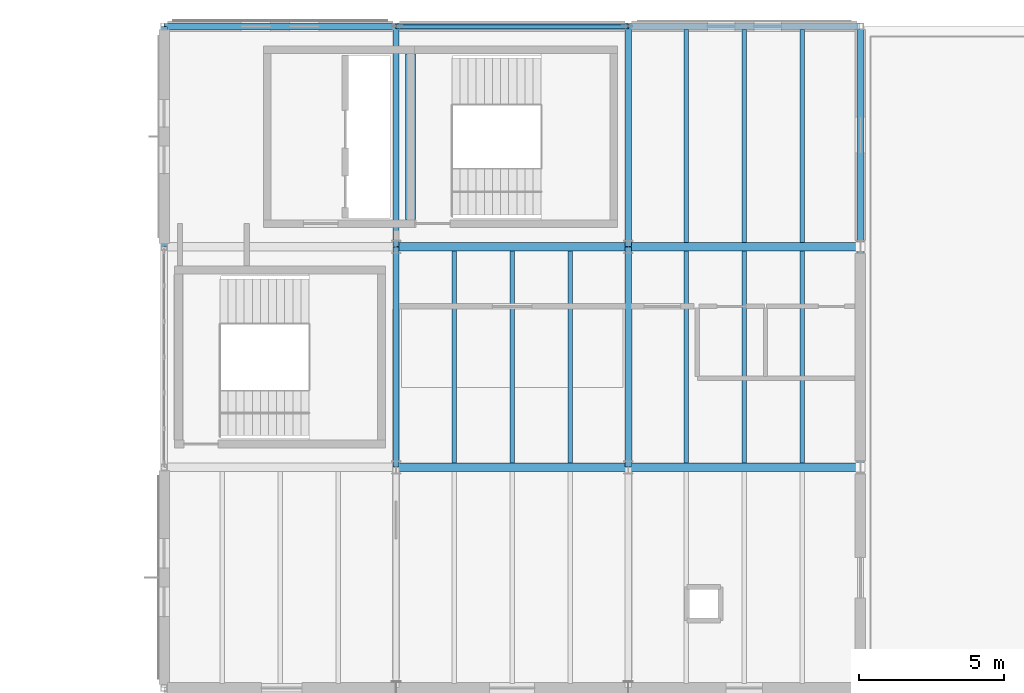
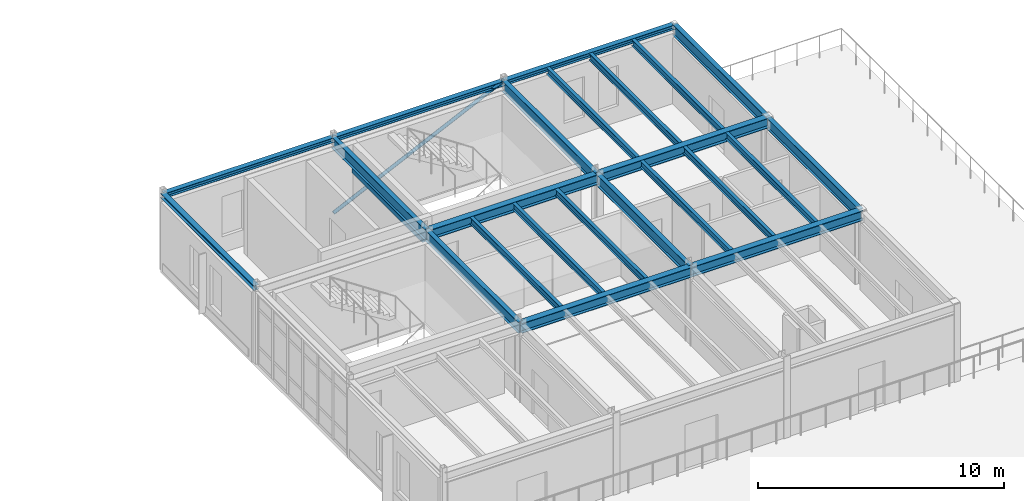
# One storey, part 66 of 114: 24 beams, 1 member.
"""IFC4 building model written with IfcOpenShell, lengths in metres."""

from ifc_helpers import new_model, si_unit, direction, frame, origin, origin_2d, place, context, subcontext, project, spatial, rectangle, hollow_circle, i_section, extrude, material, material_profile, profile_set, type_object, element, save


model = new_model("IFC4")

# Units and contexts
model_context = context("Model", 3, precision=1e-05, world=origin(), true_north=direction((0.0, 1.0)))
body_context = subcontext(model_context, "Body", "Model", "MODEL_VIEW")
ifc_project = project(units=[si_unit("LENGTHUNIT", "METRE"), si_unit("AREAUNIT", "SQUARE_METRE"), si_unit("VOLUMEUNIT", "CUBIC_METRE"), si_unit("PLANEANGLEUNIT", "RADIAN"), si_unit("MASSUNIT", "GRAM", prefix="KILO")], contexts=[model_context])

# Site, building, storey
site_placement = place(None, origin())
site = spatial("IfcSite", under=ifc_project, at=site_placement, CompositionType="ELEMENT")
building_placement = place(site_placement, origin())
building = spatial("IfcBuilding", under=site, at=building_placement, Name="Montecoro Central Library", CompositionType="ELEMENT")
storey_placement = place(building_placement, frame((0.0, 0.0, 13.260009765625)))
storey = spatial("IfcBuildingStorey", under=building, at=storey_placement, Name="L03", CompositionType="ELEMENT", Elevation=13.260009765625)

# Beams
ifc_material_1 = material(Name="Steel S355J2", Category="steel")
ifc_material_profile_1 = material_profile(ifc_material_1, i_section(OverallWidth=0.300048828125, OverallDepth=0.489990234375, WebThickness=0.011962890625, FlangeThickness=0.02294921875, at=origin_2d()), Name="HEA 500")
ifc_profile_set_1 = profile_set([ifc_material_profile_1], Name="Steel S355J2")
beam_type_1 = type_object("IfcBeamType", Name="BM-G-HEA500", PredefinedType="USERDEFINED", material=ifc_profile_set_1)
for number, where, z_axis, x_axis, name in (
    (1, (149.0048828125, 103.800048828125, 3.580078125), (1.0, 0.0, 0.0), (0.0, 1.0, 0.0), "V5-L03-BX-1920-P"),
    (2, (157.0048828125, 103.800048828125, 3.580078125), (1.0, 0.0, 0.0), (0.0, 1.0, 0.0), "V5-L03-BX-2021-P"),
    (3, (149.0048828125, 111.39990234375, 3.580078125), (1.0, 0.0, 0.0), (0.0, 1.0, 0.0), "V5-L03-BX-1920-Q"),
    (4, (157.0048828125, 111.39990234375, 3.580078125), (1.0, 0.0, 0.0), (0.0, 1.0, 0.0), "V5-L03-BX-2021-Q"),
):
    element("IfcBeam", number, at=place(storey_placement, frame(where, z_axis=z_axis, x_axis=x_axis)), inside=storey, type_object=beam_type_1, Name=name, ObjectType="GIRDER", PredefinedType="USERDEFINED", context=body_context, shape_type="SweptSolid", body=[
        extrude(i_section(OverallWidth=0.300048828125, OverallDepth=0.489990234375, WebThickness=0.011962890625, FlangeThickness=0.02294921875, at=origin_2d()), origin(), (0.0, 0.0, 1.0), 7.990234375),
    ])
ifc_material_profile_2 = material_profile(ifc_material_1, i_section(OverallWidth=0.2099609375, OverallDepth=0.550048828125, WebThickness=0.010986328125, FlangeThickness=0.01708984375, at=origin_2d()), Name="IPE 550")
ifc_profile_set_2 = profile_set([ifc_material_profile_2], Name="Steel S355J2")
beam_type_2 = type_object("IfcBeamType", Name="BM-G-IPE550", PredefinedType="USERDEFINED", material=ifc_profile_set_2)
for number, where, z_axis, x_axis, name in (
    (5, (149.0, 103.804931640625, 3.550048828125), (0.0, 1.0, 0.0), (-1.0, 0.0, 0.0), "V5-L03-BY-19-PQ"),
    (6, (149.0, 111.405029296875, 3.550048828125), (0.0, 1.0, 0.0), (-1.0, 0.0, 0.0), "V5-L03-BY-19-QR"),
    (7, (157.0, 103.804931640625, 3.550048828125), (0.0, 1.0, 0.0), (-1.0, 0.0, 0.0), "V5-L03-BY-20-PQ"),
    (8, (157.0, 111.405029296875, 3.550048828125), (0.0, 1.0, 0.0), (-1.0, 0.0, 0.0), "V5-L03-BY-20-QR"),
    (9, (165.0, 103.804931640625, 3.550048828125), (0.0, 1.0, 0.0), (-1.0, 0.0, 0.0), "V5-L03-BY-21-PQ"),
    (10, (165.0, 111.405029296875, 3.550048828125), (0.0, 1.0, 0.0), (-1.0, 0.0, 0.0), "V5-L03-BY-21-QR"),
):
    element("IfcBeam", number, at=place(storey_placement, frame(where, z_axis=z_axis, x_axis=x_axis)), inside=storey, type_object=beam_type_2, Name=name, ObjectType="GIRDER", PredefinedType="USERDEFINED", context=body_context, shape_type="SweptSolid", body=[
        extrude(i_section(OverallWidth=0.2099609375, OverallDepth=0.550048828125, WebThickness=0.010986328125, FlangeThickness=0.01708984375, at=origin_2d()), origin(), (0.0, 0.0, 1.0), 7.590087890625),
    ])
ifc_material_2 = material(Name="Steel S355", Category="steel")
ifc_material_profile_3 = material_profile(ifc_material_2, i_section(OverallWidth=0.159912109375, OverallDepth=0.330078125, WebThickness=0.007568359375, FlangeThickness=0.011474609375, at=origin_2d()), Name="IPE 330")
ifc_profile_set_3 = profile_set([ifc_material_profile_3], Name="Steel S355")
beam_type_3 = type_object("IfcBeamType", Name="BM-J-IPE330", PredefinedType="JOIST", material=ifc_profile_set_3)
for number, where, z_axis, x_axis, name in (
    (11, (151.0, 103.947021484375, 3.659912109375), (0.0, 1.0, 0.0), (-1.0, 0.0, 0.0), "V5-L03-JS-1920-PQ-1"),
    (12, (153.0, 103.947021484375, 3.659912109375), (0.0, 1.0, 0.0), (-1.0, 0.0, 0.0), "V5-L03-JS-1920-PQ-2"),
    (13, (155.0, 103.947021484375, 3.659912109375), (0.0, 1.0, 0.0), (-1.0, 0.0, 0.0), "V5-L03-JS-1920-PQ-3"),
    (14, (159.0, 103.947021484375, 3.659912109375), (0.0, 1.0, 0.0), (-1.0, 0.0, 0.0), "V5-L03-JS-2021-PQ-1"),
    (15, (161.0, 103.947021484375, 3.659912109375), (0.0, 1.0, 0.0), (-1.0, 0.0, 0.0), "V5-L03-JS-2021-PQ-2"),
    (16, (163.0, 103.947021484375, 3.659912109375), (0.0, 1.0, 0.0), (-1.0, 0.0, 0.0), "V5-L03-JS-2021-PQ-3"),
):
    element("IfcBeam", number, at=place(storey_placement, frame(where, z_axis=z_axis, x_axis=x_axis)), inside=storey, type_object=beam_type_3, Name=name, PredefinedType="JOIST", context=body_context, shape_type="SweptSolid", body=[
        extrude(i_section(OverallWidth=0.159912109375, OverallDepth=0.330078125, WebThickness=0.007568359375, FlangeThickness=0.011474609375, at=origin_2d()), origin(), (0.0, 0.0, 1.0), 7.305908203125),
    ])
for number, where, z_axis, x_axis, name in (
    (17, (159.0, 111.547119140625, 3.659912109375), (0.0, 1.0, 0.0), (-1.0, 0.0, 0.0), "V5-L03-JS-2021-QR-1"),
    (18, (161.0, 111.547119140625, 3.659912109375), (0.0, 1.0, 0.0), (-1.0, 0.0, 0.0), "V5-L03-JS-2021-QR-2"),
    (19, (163.0, 111.547119140625, 3.659912109375), (0.0, 1.0, 0.0), (-1.0, 0.0, 0.0), "V5-L03-JS-2021-QR-3"),
):
    element("IfcBeam", number, at=place(storey_placement, frame(where, z_axis=z_axis, x_axis=x_axis)), inside=storey, type_object=beam_type_3, Name=name, PredefinedType="JOIST", context=body_context, shape_type="SweptSolid", body=[
        extrude(i_section(OverallWidth=0.159912109375, OverallDepth=0.330078125, WebThickness=0.007568359375, FlangeThickness=0.011474609375, at=origin_2d()), origin(), (0.0, 0.0, 1.0), 7.3359375),
    ])
ifc_material_3 = material(Name="Concrete C35/45", Category="concrete")
ifc_material_profile_4 = material_profile(ifc_material_3, rectangle(XDim=0.35009765625, YDim=0.60009765625, at=origin_2d()), Name="RC LNT 600x350")
ifc_profile_set_4 = profile_set([ifc_material_profile_4], Name="Concrete C35/45")
beam_type_4 = type_object("IfcBeamType", Name="BM-LN-RC01", PredefinedType="LINTEL", material=ifc_profile_set_4)
beam_1_placement = place(storey_placement, frame((149.5, 112.35009765625, 2.75), z_axis=(0.0, 1.0, 0.0), x_axis=(-1.0, 0.0, 0.0)))
element("IfcBeam", 20, at=beam_1_placement, inside=storey, type_object=beam_type_4, Name="C6-L03-LNT", PredefinedType="LINTEL", context=body_context, shape_type="SweptSolid", body=[
    extrude(rectangle(XDim=0.35009765625, YDim=0.60009765625, at=origin_2d()), origin(), (0.0, 0.0, 1.0), 5.699951171875),
])
ifc_material_profile_5 = material_profile(ifc_material_2, i_section(OverallWidth=0.239990234375, OverallDepth=0.22998046875, WebThickness=0.007568359375, FlangeThickness=0.011962890625, at=origin_2d()), Name="HEA 240")
ifc_profile_set_5 = profile_set([ifc_material_profile_5], Name="Steel S355")
beam_type_5 = type_object("IfcBeamType", Name="BM-SP-HEA240", PredefinedType="SPANDREL", material=ifc_profile_set_5)
for number, where, z_axis, x_axis, name in (
    (21, (141.0048828125, 119.0, 3.7099609375), (1.0, 0.0, 0.0), (0.0, 1.0, 0.0), "V5-L03-BX-1819-R"),
    (22, (149.0048828125, 119.0, 3.7099609375), (1.0, 0.0, 0.0), (0.0, 1.0, 0.0), "V5-L03-BX-1920-R"),
    (23, (157.0048828125, 119.0, 3.7099609375), (1.0, 0.0, 0.0), (0.0, 1.0, 0.0), "V5-L03-BX-2021-R"),
):
    element("IfcBeam", number, at=place(storey_placement, frame(where, z_axis=z_axis, x_axis=x_axis)), inside=storey, type_object=beam_type_5, Name=name, PredefinedType="SPANDREL", context=body_context, shape_type="SweptSolid", body=[
        extrude(i_section(OverallWidth=0.239990234375, OverallDepth=0.22998046875, WebThickness=0.007568359375, FlangeThickness=0.011962890625, at=origin_2d()), origin(), (0.0, 0.0, 1.0), 7.990234375),
    ])
beam_2_placement = place(storey_placement, frame((141.0, 111.405029296875, 3.7099609375), z_axis=(0.0, 1.0, 0.0), x_axis=(-1.0, 0.0, 0.0)))
element("IfcBeam", 24, at=beam_2_placement, inside=storey, type_object=beam_type_5, Name="V5-L03-BY-18-QR", PredefinedType="SPANDREL", context=body_context, shape_type="SweptSolid", body=[
    extrude(i_section(OverallWidth=0.239990234375, OverallDepth=0.22998046875, WebThickness=0.007568359375, FlangeThickness=0.011962890625, at=origin_2d()), origin(), (0.0, 0.0, 1.0), 7.590087890625),
])

# Member
ifc_material_profile_6 = material_profile(ifc_material_2, hollow_circle(Radius=0.084228515625, WallThickness=0.008056640625, at=origin_2d()), Name="CHS 168.3x8.0")
ifc_profile_set_6 = profile_set([ifc_material_profile_6], Name="Steel S355")
member_type = type_object("IfcMemberType", Name="MB-BR-CHS168", PredefinedType="BRACE", material=ifc_profile_set_6)
member_placement = place(storey_placement, frame((149.0, 119.0, 0.010009765625), z_axis=(0.903499651379, 0.0, 0.428588823884), x_axis=(0.0, 1.0, 0.0)))
element("IfcMember", 25, at=member_placement, inside=storey, type_object=member_type, Name="V5-L03-BRN1", PredefinedType="BRACE", context=body_context, shape_type="SweptSolid", body=[
    extrude(hollow_circle(Radius=0.084228515625, WallThickness=0.008056640625, at=origin_2d()), origin(), (0.0, 0.0, 1.0), 8.8544921875),
])

save(model, "model.ifc")
